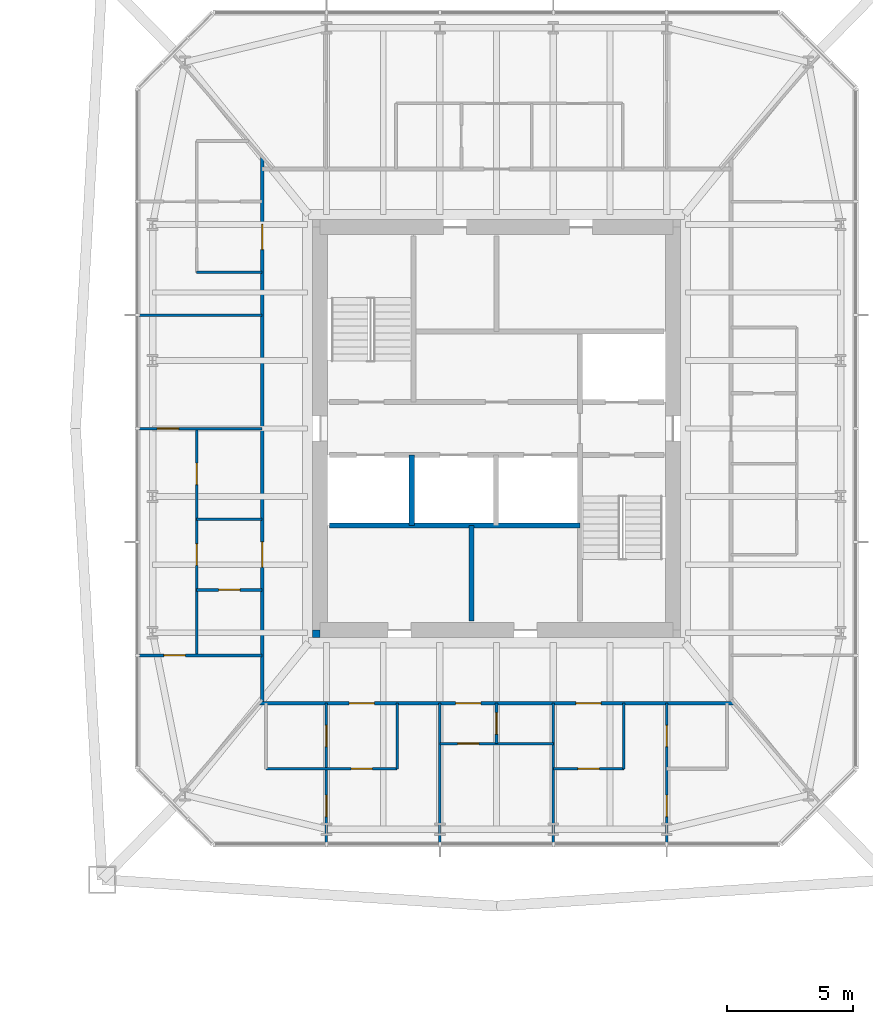
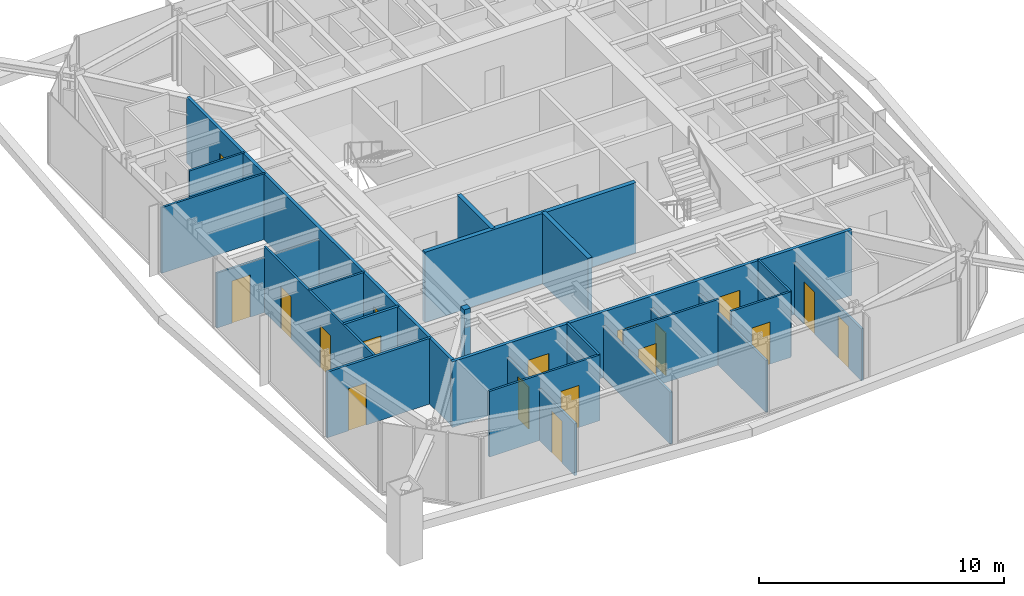
# One storey, part 17 of 25: 23 walls, 18 doors, 18 openings.
"""IFC4 building model written with IfcOpenShell, lengths in metres."""

from ifc_helpers import new_model, si_unit, direction, frame, frame_2d, origin, place, context, subcontext, project, spatial, rectangle, extrude, material, layer, layer_set, type_object, element, fill, save


model = new_model("IFC4")

# Units and contexts
model_context = context("Model", 3, precision=1e-05, world=origin(), true_north=direction((0.0, 1.0)))
body_context = subcontext(model_context, "Body", "Model", "MODEL_VIEW")
ifc_project = project(units=[si_unit("LENGTHUNIT", "METRE"), si_unit("AREAUNIT", "SQUARE_METRE"), si_unit("VOLUMEUNIT", "CUBIC_METRE"), si_unit("PLANEANGLEUNIT", "RADIAN"), si_unit("MASSUNIT", "GRAM", prefix="KILO")], contexts=[model_context])

# Site, building, storey
site_placement = place(None, origin())
site = spatial("IfcSite", under=ifc_project, at=site_placement, CompositionType="ELEMENT")
building_placement = place(site_placement, origin())
building = spatial("IfcBuilding", under=site, at=building_placement, Name="Iwan Alto Co-Living Towers", CompositionType="ELEMENT")
storey_placement = place(building_placement, frame((0.0, 0.0, 87.5)))
storey = spatial("IfcBuildingStorey", under=building, at=storey_placement, Name="L23", CompositionType="ELEMENT", Elevation=87.5)

# Wall, openings, doors
ifc_material_1 = material(Name="Gypsum board")
ifc_layer_1 = layer(ifc_material_1, 0.02490234375, Name="Board", Category="Finish")
ifc_material_2 = material(Name="Steel ASTM A1003 ST33H cold-formed studs", Category="steel")
ifc_layer_2 = layer(ifc_material_2, 0.10009765625, Name="Studs", Category="Framing")
ifc_layer_3 = layer(ifc_material_1, 0.02490234375, Name="Board", Category="Finish")
ifc_layer_set_1 = layer_set([ifc_layer_1, ifc_layer_2, ifc_layer_3], Name="CORRIDOR WALL 150")
wall_type_1 = type_object("IfcWallType", Name="CORRIDOR WALL 150", PredefinedType="PARTITIONING", material=ifc_layer_set_1)
wall_1_placement = place(storey_placement, frame((53.5859375, -10.89990234375, 0.0), z_axis=(0.0, 0.0, 1.0), x_axis=(1.0, 0.0, 0.0)))
wall_1 = element("IfcWall", 1, at=wall_1_placement, inside=storey, type_object=wall_type_1, Name="Partition L23", PredefinedType="PARTITIONING", context=body_context, shape_type="SweptSolid", body=[
    extrude(rectangle(XDim=18.828125, YDim=0.14990234375, at=frame_2d((9.4140625, 0.0))), origin(), (0.0, 0.0, 1.0), 3.27001953125),
])
opening_1_placement = place(wall_1_placement, frame((3.56396484375, 0.0, 0.0)))
opening_1 = element("IfcOpeningElement", 2, at=opening_1_placement, cuts=wall_1, Name="Opening D3", PredefinedType="OPENING", context=body_context, shape_type="SweptSolid", body=[
    extrude(rectangle(XDim=1.0, YDim=2.10009765625, at=frame_2d((0.5, 1.050048828125))), frame((0.0, 0.0849609375, 0.0), z_axis=(0.0, -1.0, 0.0), x_axis=(1.0, 0.0, 0.0)), (0.0, 0.0, 1.0), 0.169921875),
])
opening_2_placement = place(wall_1_placement, frame((7.7890625, 0.0, 0.0)))
opening_2 = element("IfcOpeningElement", 3, at=opening_2_placement, cuts=wall_1, Name="Opening D3", PredefinedType="OPENING", context=body_context, shape_type="SweptSolid", body=[
    extrude(rectangle(XDim=1.0, YDim=2.10009765625, at=frame_2d((0.5, 1.050048828125))), frame((0.0, 0.0849609375, 0.0), z_axis=(0.0, -1.0, 0.0), x_axis=(1.0, 0.0, 0.0)), (0.0, 0.0, 1.0), 0.169921875),
])
opening_3_placement = place(wall_1_placement, frame((12.56396484375, 0.0, 0.0)))
opening_3 = element("IfcOpeningElement", 4, at=opening_3_placement, cuts=wall_1, Name="Opening D3", PredefinedType="OPENING", context=body_context, shape_type="SweptSolid", body=[
    extrude(rectangle(XDim=1.0, YDim=2.10009765625, at=frame_2d((0.5, 1.050048828125))), frame((0.0, 0.0849609375, 0.0), z_axis=(0.0, -1.0, 0.0), x_axis=(1.0, 0.0, 0.0)), (0.0, 0.0, 1.0), 0.169921875),
])
ifc_material_3 = material(Name="Steel frame with timber leaf", Category="steel")
door_type_1 = type_object("IfcDoorType", Name="FLAT ENTRANCE DOOR FD30S 1000X2100", OperationType="SINGLE_SWING_LEFT", PredefinedType="DOOR", material=ifc_material_3)
door_1_placement = place(opening_1_placement, frame((1.0, 0.0, 0.0), z_axis=(0.0, 0.0, 1.0), x_axis=(-1.0, 0.0, 0.0)))
door_1 = element("IfcDoor", 5, at=door_1_placement, inside=storey, type_object=door_type_1, Name="Apartment foyer door L23", OperationType="SINGLE_SWING_RIGHT", OverallHeight=2.10009765625, OverallWidth=1.0, PredefinedType="DOOR", context=body_context, shape_type="SweptSolid", body=[
    extrude(rectangle(XDim=1.0, YDim=2.10009765625, at=frame_2d((0.5, 1.050048828125))), frame((0.0, 0.02490234375, 0.0), z_axis=(0.0, -1.0, 0.0), x_axis=(1.0, 0.0, 0.0)), (0.0, 0.0, 1.0), 0.050048828125),
])
fill(opening_1, door_1)
door_2_placement = place(opening_2_placement, frame((1.0, 0.0, 0.0), z_axis=(0.0, 0.0, 1.0), x_axis=(-1.0, 0.0, 0.0)))
door_2 = element("IfcDoor", 6, at=door_2_placement, inside=storey, type_object=door_type_1, Name="Studio foyer door L23", OperationType="SINGLE_SWING_RIGHT", OverallHeight=2.10009765625, OverallWidth=1.0, PredefinedType="DOOR", context=body_context, shape_type="SweptSolid", body=[
    extrude(rectangle(XDim=1.0, YDim=2.10009765625, at=frame_2d((0.5, 1.050048828125))), frame((0.0, 0.02490234375, 0.0), z_axis=(0.0, -1.0, 0.0), x_axis=(1.0, 0.0, 0.0)), (0.0, 0.0, 1.0), 0.050048828125),
])
fill(opening_2, door_2)
door_3_placement = place(opening_3_placement, frame((1.0, 0.0, 0.0), z_axis=(0.0, 0.0, 1.0), x_axis=(-1.0, 0.0, 0.0)))
door_3 = element("IfcDoor", 7, at=door_3_placement, inside=storey, type_object=door_type_1, Name="Apartment foyer door L23", OperationType="SINGLE_SWING_RIGHT", OverallHeight=2.10009765625, OverallWidth=1.0, PredefinedType="DOOR", context=body_context, shape_type="SweptSolid", body=[
    extrude(rectangle(XDim=1.0, YDim=2.10009765625, at=frame_2d((0.5, 1.050048828125))), frame((0.0, 0.02490234375, 0.0), z_axis=(0.0, -1.0, 0.0), x_axis=(1.0, 0.0, 0.0)), (0.0, 0.0, 1.0), 0.050048828125),
])
fill(opening_3, door_3)

wall_2_placement = place(storey_placement, frame((53.699951171875, -10.89990234375, 0.0), z_axis=(0.0, 0.0, 1.0), x_axis=(0.0, 1.0, 0.0)))
wall_2 = element("IfcWall", 8, at=wall_2_placement, inside=storey, type_object=wall_type_1, Name="Partition L23", PredefinedType="PARTITIONING", context=body_context, shape_type="SweptSolid", body=[
    extrude(rectangle(XDim=21.66796875, YDim=0.14990234375, at=frame_2d((10.833984375, 0.0))), origin(), (0.0, 0.0, 1.0), 3.27001953125),
])
opening_4_placement = place(wall_2_placement, frame((18.0, 0.0, 0.0)))
opening_4 = element("IfcOpeningElement", 9, at=opening_4_placement, cuts=wall_2, Name="Opening D3", PredefinedType="OPENING", context=body_context, shape_type="SweptSolid", body=[
    extrude(rectangle(XDim=1.0, YDim=2.10009765625, at=frame_2d((0.5, 1.050048828125))), frame((0.0, 0.0849609375, 0.0), z_axis=(0.0, -1.0, 0.0), x_axis=(1.0, 0.0, 0.0)), (0.0, 0.0, 1.0), 0.169921875),
])
opening_5_placement = place(wall_2_placement, frame((5.39990234375, 0.0, 0.0)))
opening_5 = element("IfcOpeningElement", 10, at=opening_5_placement, cuts=wall_2, Name="Opening D3", PredefinedType="OPENING", context=body_context, shape_type="SweptSolid", body=[
    extrude(rectangle(XDim=1.0, YDim=2.10009765625, at=frame_2d((0.5, 1.050048828125))), frame((0.0, 0.0849609375, 0.0), z_axis=(0.0, -1.0, 0.0), x_axis=(1.0, 0.0, 0.0)), (0.0, 0.0, 1.0), 0.169921875),
])
door_4_placement = place(opening_4_placement, origin())
door_4 = element("IfcDoor", 11, at=door_4_placement, inside=storey, type_object=door_type_1, Name="Apartment foyer door L23", OperationType="SINGLE_SWING_LEFT", OverallHeight=2.10009765625, OverallWidth=1.0, PredefinedType="DOOR", context=body_context, shape_type="SweptSolid", body=[
    extrude(rectangle(XDim=1.0, YDim=2.10009765625, at=frame_2d((0.5, 1.050048828125))), frame((0.0, 0.02490234375, 0.0), z_axis=(0.0, -1.0, 0.0), x_axis=(1.0, 0.0, 0.0)), (0.0, 0.0, 1.0), 0.050048828125),
])
fill(opening_4, door_4)
door_5_placement = place(opening_5_placement, origin())
door_5 = element("IfcDoor", 12, at=door_5_placement, inside=storey, type_object=door_type_1, Name="Apartment foyer door L23", OperationType="SINGLE_SWING_LEFT", OverallHeight=2.10009765625, OverallWidth=1.0, PredefinedType="DOOR", context=body_context, shape_type="SweptSolid", body=[
    extrude(rectangle(XDim=1.0, YDim=2.10009765625, at=frame_2d((0.5, 1.050048828125))), frame((0.0, 0.02490234375, 0.0), z_axis=(0.0, -1.0, 0.0), x_axis=(1.0, 0.0, 0.0)), (0.0, 0.0, 1.0), 0.050048828125),
])
fill(opening_5, door_5)

# Wall, opening, door
ifc_layer_4 = layer(ifc_material_1, 0.012451171875, Name="Board", Category="Finish")
ifc_layer_5 = layer(ifc_material_2, 0.074951171875, Name="Studs", Category="Framing")
ifc_layer_6 = layer(ifc_material_1, 0.012451171875, Name="Board", Category="Finish")
ifc_layer_set_2 = layer_set([ifc_layer_4, ifc_layer_5, ifc_layer_6], Name="PARTITION 100")
wall_type_2 = type_object("IfcWallType", Name="PARTITION 100", PredefinedType="PARTITIONING", material=ifc_layer_set_2)
wall_3_placement = place(storey_placement, frame((53.85009765625, -13.5, 0.0), z_axis=(0.0, 0.0, 1.0), x_axis=(1.0, 0.0, 0.0)))
wall_3 = element("IfcWall", 13, at=wall_3_placement, inside=storey, type_object=wall_type_2, Name="Partition L23", PredefinedType="PARTITIONING", context=body_context, shape_type="SweptSolid", body=[
    extrude(rectangle(XDim=5.199951171875, YDim=0.10009765625, at=frame_2d((2.60009765625, 0.0))), origin(), (0.0, 0.0, 1.0), 3.27001953125),
])
opening_6_placement = place(wall_3_placement, frame((3.375, 0.0, 0.0)))
opening_6 = element("IfcOpeningElement", 14, at=opening_6_placement, cuts=wall_3, Name="Opening D2", PredefinedType="OPENING", context=body_context, shape_type="SweptSolid", body=[
    extrude(rectangle(XDim=0.85009765625, YDim=2.10009765625, at=frame_2d((0.425048828125, 1.050048828125))), frame((0.0, 0.06005859375, 0.0), z_axis=(0.0, -1.0, 0.0), x_axis=(1.0, 0.0, 0.0)), (0.0, 0.0, 1.0), 0.1201171875),
])
ifc_material_4 = material(Name="Timber leaf in steel frame", Category="steel")
door_type_2 = type_object("IfcDoorType", Name="ROOM DOOR 850X2100", OperationType="SINGLE_SWING_LEFT", PredefinedType="DOOR", material=ifc_material_4)
door_6_placement = place(opening_6_placement, frame((0.85009765625, 0.0, 0.0), z_axis=(0.0, 0.0, 1.0), x_axis=(-1.0, 0.0, 0.0)))
door_6 = element("IfcDoor", 15, at=door_6_placement, inside=storey, type_object=door_type_2, Name="Apartment foyer door L23", OperationType="SINGLE_SWING_RIGHT", OverallHeight=2.10009765625, OverallWidth=0.85009765625, PredefinedType="DOOR", context=body_context, shape_type="SweptSolid", body=[
    extrude(rectangle(XDim=0.85009765625, YDim=2.10009765625, at=frame_2d((0.425048828125, 1.050048828125))), frame((0.0, 0.02490234375, 0.0), z_axis=(0.0, -1.0, 0.0), x_axis=(1.0, 0.0, 0.0)), (0.0, 0.0, 1.0), 0.050048828125),
])
fill(opening_6, door_6)

wall_4_placement = place(storey_placement, frame((65.25, -13.5, 0.0), z_axis=(0.0, 0.0, 1.0), x_axis=(1.0, 0.0, 0.0)))
wall_4 = element("IfcWall", 16, at=wall_4_placement, inside=storey, type_object=wall_type_2, Name="Partition L23", PredefinedType="PARTITIONING", context=body_context, shape_type="SweptSolid", body=[
    extrude(rectangle(XDim=2.800048828125, YDim=0.10009765625, at=frame_2d((1.39990234375, 0.0))), origin(), (0.0, 0.0, 1.0), 3.27001953125),
])
opening_7_placement = place(wall_4_placement, frame((0.97509765625, 0.0, 0.0)))
opening_7 = element("IfcOpeningElement", 17, at=opening_7_placement, cuts=wall_4, Name="Opening D2", PredefinedType="OPENING", context=body_context, shape_type="SweptSolid", body=[
    extrude(rectangle(XDim=0.85009765625, YDim=2.10009765625, at=frame_2d((0.425048828125, 1.050048828125))), frame((0.0, 0.06005859375, 0.0), z_axis=(0.0, -1.0, 0.0), x_axis=(1.0, 0.0, 0.0)), (0.0, 0.0, 1.0), 0.1201171875),
])
door_7_placement = place(opening_7_placement, frame((0.85009765625, 0.0, 0.0), z_axis=(0.0, 0.0, 1.0), x_axis=(-1.0, 0.0, 0.0)))
door_7 = element("IfcDoor", 18, at=door_7_placement, inside=storey, type_object=door_type_2, Name="Apartment foyer door L23", OperationType="SINGLE_SWING_RIGHT", OverallHeight=2.10009765625, OverallWidth=0.85009765625, PredefinedType="DOOR", context=body_context, shape_type="SweptSolid", body=[
    extrude(rectangle(XDim=0.85009765625, YDim=2.10009765625, at=frame_2d((0.425048828125, 1.050048828125))), frame((0.0, 0.02490234375, 0.0), z_axis=(0.0, -1.0, 0.0), x_axis=(1.0, 0.0, 0.0)), (0.0, 0.0, 1.0), 0.050048828125),
])
fill(opening_7, door_7)

wall_5_placement = place(storey_placement, frame((60.75, -12.5, 0.0), z_axis=(0.0, 0.0, 1.0), x_axis=(1.0, 0.0, 0.0)))
wall_5 = element("IfcWall", 19, at=wall_5_placement, inside=storey, type_object=wall_type_2, Name="Partition L23", PredefinedType="PARTITIONING", context=body_context, shape_type="SweptSolid", body=[
    extrude(rectangle(XDim=4.5, YDim=0.10009765625, at=frame_2d((2.25, 0.0))), origin(), (0.0, 0.0, 1.0), 3.27001953125),
])
opening_8_placement = place(wall_5_placement, frame((0.699951171875, 0.0, 0.0)))
opening_8 = element("IfcOpeningElement", 20, at=opening_8_placement, cuts=wall_5, Name="Opening D2", PredefinedType="OPENING", context=body_context, shape_type="SweptSolid", body=[
    extrude(rectangle(XDim=0.85009765625, YDim=2.10009765625, at=frame_2d((0.425048828125, 1.050048828125))), frame((0.0, 0.06005859375, 0.0), z_axis=(0.0, -1.0, 0.0), x_axis=(1.0, 0.0, 0.0)), (0.0, 0.0, 1.0), 0.1201171875),
])
door_8_placement = place(opening_8_placement, frame((0.85009765625, 0.0, 0.0), z_axis=(0.0, 0.0, 1.0), x_axis=(-1.0, 0.0, 0.0)))
door_8 = element("IfcDoor", 21, at=door_8_placement, inside=storey, type_object=door_type_2, Name="Studio and kitchenette door L23", OperationType="SINGLE_SWING_RIGHT", OverallHeight=2.10009765625, OverallWidth=0.85009765625, PredefinedType="DOOR", context=body_context, shape_type="SweptSolid", body=[
    extrude(rectangle(XDim=0.85009765625, YDim=2.10009765625, at=frame_2d((0.425048828125, 1.050048828125))), frame((0.0, 0.02490234375, 0.0), z_axis=(0.0, -1.0, 0.0), x_axis=(1.0, 0.0, 0.0)), (0.0, 0.0, 1.0), 0.050048828125),
])
fill(opening_8, door_8)

# Wall
wall_6_placement = place(storey_placement, frame((51.10009765625, -3.60009765625, 0.0), z_axis=(0.0, 0.0, 1.0), x_axis=(1.0, 0.0, 0.0)))
element("IfcWall", 22, at=wall_6_placement, inside=storey, type_object=wall_type_2, Name="Partition L23", PredefinedType="PARTITIONING", context=body_context, shape_type="SweptSolid", body=[
    extrude(rectangle(XDim=2.599853515625, YDim=0.10009765625, at=frame_2d((1.2998046875, 0.0))), origin(), (0.0, 0.0, 1.0), 3.27001953125),
])

# Wall, opening, door
wall_7_placement = place(storey_placement, frame((48.81005859375, 0.0, 0.0), z_axis=(0.0, 0.0, 1.0), x_axis=(1.0, 0.0, 0.0)))
wall_7 = element("IfcWall", 23, at=wall_7_placement, inside=storey, type_object=wall_type_2, Name="Partition L23", PredefinedType="PARTITIONING", context=body_context, shape_type="SweptSolid", body=[
    extrude(rectangle(XDim=4.889892578125, YDim=0.10009765625, at=frame_2d((2.44482421875, 0.0))), origin(), (0.0, 0.0, 1.0), 2.736572265625),
])
opening_9_placement = place(wall_7_placement, frame((0.719970703125, 0.0, 0.0)))
opening_9 = element("IfcOpeningElement", 24, at=opening_9_placement, cuts=wall_7, Name="Opening D2", PredefinedType="OPENING", context=body_context, shape_type="SweptSolid", body=[
    extrude(rectangle(XDim=0.85009765625, YDim=2.10009765625, at=frame_2d((0.425048828125, 1.050048828125))), frame((0.0, 0.06005859375, 0.0), z_axis=(0.0, -1.0, 0.0), x_axis=(1.0, 0.0, 0.0)), (0.0, 0.0, 1.0), 0.1201171875),
])
door_9_placement = place(opening_9_placement, origin())
door_9 = element("IfcDoor", 25, at=door_9_placement, inside=storey, type_object=door_type_2, Name="Bedroom door L23", OperationType="SINGLE_SWING_LEFT", OverallHeight=2.10009765625, OverallWidth=0.85009765625, PredefinedType="DOOR", context=body_context, shape_type="SweptSolid", body=[
    extrude(rectangle(XDim=0.85009765625, YDim=2.10009765625, at=frame_2d((0.425048828125, 1.050048828125))), frame((0.0, 0.02490234375, 0.0), z_axis=(0.0, -1.0, 0.0), x_axis=(1.0, 0.0, 0.0)), (0.0, 0.0, 1.0), 0.050048828125),
])
fill(opening_9, door_9)

# Walls
wall_8_placement = place(storey_placement, frame((48.81005859375, 4.5, 0.0), z_axis=(0.0, 0.0, 1.0), x_axis=(1.0, 0.0, 0.0)))
element("IfcWall", 26, at=wall_8_placement, inside=storey, type_object=wall_type_2, Name="Partition L23", PredefinedType="PARTITIONING", context=body_context, shape_type="SweptSolid", body=[
    extrude(rectangle(XDim=4.889892578125, YDim=0.10009765625, at=frame_2d((2.44482421875, 0.0))), origin(), (0.0, 0.0, 1.0), 3.27001953125),
])
wall_9_placement = place(storey_placement, frame((51.10009765625, 6.199951171875, 0.0), z_axis=(0.0, 0.0, 1.0), x_axis=(1.0, 0.0, 0.0)))
element("IfcWall", 27, at=wall_9_placement, inside=storey, type_object=wall_type_2, Name="Partition L23", PredefinedType="PARTITIONING", context=body_context, shape_type="SweptSolid", body=[
    extrude(rectangle(XDim=2.599853515625, YDim=0.10009765625, at=frame_2d((1.2998046875, 0.0))), origin(), (0.0, 0.0, 1.0), 3.27001953125),
])

# Wall, openings, doors
wall_10_placement = place(storey_placement, frame((69.75, -16.43994140625, 0.0), z_axis=(0.0, 0.0, 1.0), x_axis=(0.0, 1.0, 0.0)))
wall_10 = element("IfcWall", 28, at=wall_10_placement, inside=storey, type_object=wall_type_2, Name="Partition L23", PredefinedType="PARTITIONING", context=body_context, shape_type="SweptSolid", body=[
    extrude(rectangle(XDim=5.5400390625, YDim=0.10009765625, at=frame_2d((2.77001953125, 0.0))), origin(), (0.0, 0.0, 1.0), 2.586669921875),
])
opening_10_placement = place(wall_10_placement, frame((3.81494140625, 0.0, 0.0)))
opening_10 = element("IfcOpeningElement", 29, at=opening_10_placement, cuts=wall_10, Name="Opening D2", PredefinedType="OPENING", context=body_context, shape_type="SweptSolid", body=[
    extrude(rectangle(XDim=0.85009765625, YDim=2.10009765625, at=frame_2d((0.425048828125, 1.050048828125))), frame((0.0, 0.06005859375, 0.0), z_axis=(0.0, -1.0, 0.0), x_axis=(1.0, 0.0, 0.0)), (0.0, 0.0, 1.0), 0.1201171875),
])
opening_11_placement = place(wall_10_placement, frame((1.044921875, 0.0, 0.0)))
opening_11 = element("IfcOpeningElement", 30, at=opening_11_placement, cuts=wall_10, Name="Opening D2", PredefinedType="OPENING", context=body_context, shape_type="SweptSolid", body=[
    extrude(rectangle(XDim=0.85009765625, YDim=2.10009765625, at=frame_2d((0.425048828125, 1.050048828125))), frame((0.0, 0.06005859375, 0.0), z_axis=(0.0, -1.0, 0.0), x_axis=(1.0, 0.0, 0.0)), (0.0, 0.0, 1.0), 0.1201171875),
])
door_10_placement = place(opening_10_placement, origin())
door_10 = element("IfcDoor", 31, at=door_10_placement, inside=storey, type_object=door_type_2, Name="Bathroom door L23", OperationType="SINGLE_SWING_RIGHT", OverallHeight=2.10009765625, OverallWidth=0.85009765625, PredefinedType="DOOR", context=body_context, shape_type="SweptSolid", body=[
    extrude(rectangle(XDim=0.85009765625, YDim=2.10009765625, at=frame_2d((0.425048828125, 1.050048828125))), frame((0.0, 0.02490234375, 0.0), z_axis=(0.0, -1.0, 0.0), x_axis=(1.0, 0.0, 0.0)), (0.0, 0.0, 1.0), 0.050048828125),
])
fill(opening_10, door_10)
door_11_placement = place(opening_11_placement, frame((0.85009765625, 0.0, 0.0), z_axis=(0.0, 0.0, 1.0), x_axis=(-1.0, 0.0, 0.0)))
door_11 = element("IfcDoor", 32, at=door_11_placement, inside=storey, type_object=door_type_2, Name="Bedroom door L23", OperationType="SINGLE_SWING_LEFT", OverallHeight=2.10009765625, OverallWidth=0.85009765625, PredefinedType="DOOR", context=body_context, shape_type="SweptSolid", body=[
    extrude(rectangle(XDim=0.85009765625, YDim=2.10009765625, at=frame_2d((0.425048828125, 1.050048828125))), frame((0.0, 0.02490234375, 0.0), z_axis=(0.0, -1.0, 0.0), x_axis=(1.0, 0.0, 0.0)), (0.0, 0.0, 1.0), 0.050048828125),
])
fill(opening_11, door_11)

# Walls
wall_11_placement = place(storey_placement, frame((68.050048828125, -13.5, 0.0), z_axis=(0.0, 0.0, 1.0), x_axis=(0.0, 1.0, 0.0)))
element("IfcWall", 33, at=wall_11_placement, inside=storey, type_object=wall_type_2, Name="Partition L23", PredefinedType="PARTITIONING", context=body_context, shape_type="SweptSolid", body=[
    extrude(rectangle(XDim=2.60009765625, YDim=0.10009765625, at=frame_2d((1.300048828125, 0.0))), origin(), (0.0, 0.0, 1.0), 3.27001953125),
])
for number, where, z_axis, x_axis, name in (
    (34, (65.25, -16.43994140625, 0.0), (0.0, 0.0, 1.0), (0.0, 1.0, 0.0), "Partition L23"),
    (35, (60.75, -16.43994140625, 0.0), (0.0, 0.0, 1.0), (0.0, 1.0, 0.0), "Partition L23"),
):
    element("IfcWall", number, at=place(storey_placement, frame(where, z_axis=z_axis, x_axis=x_axis)), inside=storey, type_object=wall_type_2, Name=name, PredefinedType="PARTITIONING", context=body_context, shape_type="SweptSolid", body=[
        extrude(rectangle(XDim=5.5400390625, YDim=0.10009765625, at=frame_2d((2.77001953125, 0.0))), origin(), (0.0, 0.0, 1.0), 2.586669921875),
    ])
wall_12_placement = place(storey_placement, frame((59.050048828125, -13.5, 0.0), z_axis=(0.0, 0.0, 1.0), x_axis=(0.0, 1.0, 0.0)))
element("IfcWall", 36, at=wall_12_placement, inside=storey, type_object=wall_type_2, Name="Partition L23", PredefinedType="PARTITIONING", context=body_context, shape_type="SweptSolid", body=[
    extrude(rectangle(XDim=2.60009765625, YDim=0.10009765625, at=frame_2d((1.300048828125, 0.0))), origin(), (0.0, 0.0, 1.0), 3.27001953125),
])

# Wall, openings, doors
wall_13_placement = place(storey_placement, frame((56.25, -16.43994140625, 0.0), z_axis=(0.0, 0.0, 1.0), x_axis=(0.0, 1.0, 0.0)))
wall_13 = element("IfcWall", 37, at=wall_13_placement, inside=storey, type_object=wall_type_2, Name="Partition L23", PredefinedType="PARTITIONING", context=body_context, shape_type="SweptSolid", body=[
    extrude(rectangle(XDim=5.5400390625, YDim=0.10009765625, at=frame_2d((2.77001953125, 0.0))), origin(), (0.0, 0.0, 1.0), 2.586669921875),
])
opening_12_placement = place(wall_13_placement, frame((3.81494140625, 0.0, 0.0)))
opening_12 = element("IfcOpeningElement", 38, at=opening_12_placement, cuts=wall_13, Name="Opening D2", PredefinedType="OPENING", context=body_context, shape_type="SweptSolid", body=[
    extrude(rectangle(XDim=0.85009765625, YDim=2.10009765625, at=frame_2d((0.425048828125, 1.050048828125))), frame((0.0, 0.06005859375, 0.0), z_axis=(0.0, -1.0, 0.0), x_axis=(1.0, 0.0, 0.0)), (0.0, 0.0, 1.0), 0.1201171875),
])
opening_13_placement = place(wall_13_placement, frame((1.044921875, 0.0, 0.0)))
opening_13 = element("IfcOpeningElement", 39, at=opening_13_placement, cuts=wall_13, Name="Opening D2", PredefinedType="OPENING", context=body_context, shape_type="SweptSolid", body=[
    extrude(rectangle(XDim=0.85009765625, YDim=2.10009765625, at=frame_2d((0.425048828125, 1.050048828125))), frame((0.0, 0.06005859375, 0.0), z_axis=(0.0, -1.0, 0.0), x_axis=(1.0, 0.0, 0.0)), (0.0, 0.0, 1.0), 0.1201171875),
])
door_12_placement = place(opening_12_placement, origin())
door_12 = element("IfcDoor", 40, at=door_12_placement, inside=storey, type_object=door_type_2, Name="Bathroom door L23", OperationType="SINGLE_SWING_LEFT", OverallHeight=2.10009765625, OverallWidth=0.85009765625, PredefinedType="DOOR", context=body_context, shape_type="SweptSolid", body=[
    extrude(rectangle(XDim=0.85009765625, YDim=2.10009765625, at=frame_2d((0.425048828125, 1.050048828125))), frame((0.0, 0.02490234375, 0.0), z_axis=(0.0, -1.0, 0.0), x_axis=(1.0, 0.0, 0.0)), (0.0, 0.0, 1.0), 0.050048828125),
])
fill(opening_12, door_12)
door_13_placement = place(opening_13_placement, origin())
door_13 = element("IfcDoor", 41, at=door_13_placement, inside=storey, type_object=door_type_2, Name="Bedroom door L23", OperationType="SINGLE_SWING_RIGHT", OverallHeight=2.10009765625, OverallWidth=0.85009765625, PredefinedType="DOOR", context=body_context, shape_type="SweptSolid", body=[
    extrude(rectangle(XDim=0.85009765625, YDim=2.10009765625, at=frame_2d((0.425048828125, 1.050048828125))), frame((0.0, 0.02490234375, 0.0), z_axis=(0.0, -1.0, 0.0), x_axis=(1.0, 0.0, 0.0)), (0.0, 0.0, 1.0), 0.050048828125),
])
fill(opening_13, door_13)

wall_14_placement = place(storey_placement, frame((51.10009765625, -9.0, 0.0), z_axis=(0.0, 0.0, 1.0), x_axis=(0.0, 1.0, 0.0)))
wall_14 = element("IfcWall", 42, at=wall_14_placement, inside=storey, type_object=wall_type_2, Name="Partition L23", PredefinedType="PARTITIONING", context=body_context, shape_type="SweptSolid", body=[
    extrude(rectangle(XDim=9.0, YDim=0.10009765625, at=frame_2d((4.5, 0.0))), origin(), (0.0, 0.0, 1.0), 3.27001953125),
])
opening_14_placement = place(wall_14_placement, frame((6.77490234375, 0.0, 0.0)))
opening_14 = element("IfcOpeningElement", 43, at=opening_14_placement, cuts=wall_14, Name="Opening D2", PredefinedType="OPENING", context=body_context, shape_type="SweptSolid", body=[
    extrude(rectangle(XDim=0.85009765625, YDim=2.10009765625, at=frame_2d((0.425048828125, 1.050048828125))), frame((0.0, 0.06005859375, 0.0), z_axis=(0.0, -1.0, 0.0), x_axis=(1.0, 0.0, 0.0)), (0.0, 0.0, 1.0), 0.1201171875),
])
opening_15_placement = place(wall_14_placement, frame((3.574951171875, 0.0, 0.0)))
opening_15 = element("IfcOpeningElement", 44, at=opening_15_placement, cuts=wall_14, Name="Opening D2", PredefinedType="OPENING", context=body_context, shape_type="SweptSolid", body=[
    extrude(rectangle(XDim=0.85009765625, YDim=2.10009765625, at=frame_2d((0.425048828125, 1.050048828125))), frame((0.0, 0.06005859375, 0.0), z_axis=(0.0, -1.0, 0.0), x_axis=(1.0, 0.0, 0.0)), (0.0, 0.0, 1.0), 0.1201171875),
])
door_14_placement = place(opening_14_placement, origin())
door_14 = element("IfcDoor", 45, at=door_14_placement, inside=storey, type_object=door_type_2, Name="Kitchen door L23", OperationType="SINGLE_SWING_RIGHT", OverallHeight=2.10009765625, OverallWidth=0.85009765625, PredefinedType="DOOR", context=body_context, shape_type="SweptSolid", body=[
    extrude(rectangle(XDim=0.85009765625, YDim=2.10009765625, at=frame_2d((0.425048828125, 1.050048828125))), frame((0.0, 0.02490234375, 0.0), z_axis=(0.0, -1.0, 0.0), x_axis=(1.0, 0.0, 0.0)), (0.0, 0.0, 1.0), 0.050048828125),
])
fill(opening_14, door_14)
door_15_placement = place(opening_15_placement, origin())
door_15 = element("IfcDoor", 46, at=door_15_placement, inside=storey, type_object=door_type_2, Name="Apartment foyer door L23", OperationType="SINGLE_SWING_LEFT", OverallHeight=2.10009765625, OverallWidth=0.85009765625, PredefinedType="DOOR", context=body_context, shape_type="SweptSolid", body=[
    extrude(rectangle(XDim=0.85009765625, YDim=2.10009765625, at=frame_2d((0.425048828125, 1.050048828125))), frame((0.0, 0.02490234375, 0.0), z_axis=(0.0, -1.0, 0.0), x_axis=(1.0, 0.0, 0.0)), (0.0, 0.0, 1.0), 0.050048828125),
])
fill(opening_15, door_15)

# Walls
ifc_material_5 = material(Name="Concrete f'c 70 MPa", Category="concrete")
ifc_layer_7 = layer(ifc_material_5, 0.199951171875)
ifc_layer_set_3 = layer_set([ifc_layer_7], Name="SHAFT WALL 200")
wall_type_3 = type_object("IfcWallType", Name="SHAFT WALL 200", PredefinedType="SOLIDWALL", material=ifc_layer_set_3)
wall_15_placement = place(storey_placement, frame((56.360107421875, -3.85009765625, 0.0), z_axis=(0.0, 0.0, 1.0), x_axis=(1.0, 0.0, 0.0)))
element("IfcWall", 47, at=wall_15_placement, inside=storey, type_object=wall_type_3, Name="Shaft wall L23", PredefinedType="SOLIDWALL", context=body_context, shape_type="SweptSolid", body=[
    extrude(rectangle(XDim=9.93994140625, YDim=0.199951171875, at=frame_2d((4.969970703125, 0.0))), origin(), (0.0, 0.0, 1.0), 3.5),
])
wall_16_placement = place(storey_placement, frame((62.0, -7.639892578125, 0.0), z_axis=(0.0, 0.0, 1.0), x_axis=(0.0, 1.0, 0.0)))
element("IfcWall", 48, at=wall_16_placement, inside=storey, type_object=wall_type_3, Name="Shaft wall L23", PredefinedType="SOLIDWALL", context=body_context, shape_type="SweptSolid", body=[
    extrude(rectangle(XDim=3.789794921875, YDim=0.199951171875, at=frame_2d((1.89501953125, 0.0))), origin(), (0.0, 0.0, 1.0), 3.5),
])
wall_17_placement = place(storey_placement, frame((59.633056640625, -3.85009765625, 0.0), z_axis=(0.0, 0.0, 1.0), x_axis=(0.0, 1.0, 0.0)))
element("IfcWall", 49, at=wall_17_placement, inside=storey, type_object=wall_type_3, Name="Shaft wall L23", PredefinedType="SOLIDWALL", context=body_context, shape_type="SweptSolid", body=[
    extrude(rectangle(XDim=2.800048828125, YDim=0.199951171875, at=frame_2d((1.39990234375, 0.0))), origin(), (0.0, 0.0, 1.0), 3.5),
])
ifc_material_6 = material(Name="Concrete f'c 70 MPa", Category="concrete")
ifc_layer_8 = layer(ifc_material_6, 0.300048828125)
ifc_layer_set_4 = layer_set([ifc_layer_8], Name="T2 CORE CORNER FILL 300")
wall_type_4 = type_object("IfcWallType", Name="T2 CORE CORNER FILL 300", PredefinedType="SOLIDWALL", material=ifc_layer_set_4)
wall_18_placement = place(storey_placement, frame((55.699951171875, -8.14990234375, 0.0), z_axis=(0.0, 0.0, 1.0), x_axis=(1.0, 0.0, 0.0)))
element("IfcWall", 50, at=wall_18_placement, inside=storey, type_object=wall_type_4, Name="T2 core corner SW L23", PredefinedType="SOLIDWALL", context=body_context, shape_type="SweptSolid", body=[
    extrude(rectangle(XDim=0.300048828125, YDim=0.300048828125, at=frame_2d((0.14990234375, 0.0))), origin(), (0.0, 0.0, 1.0), 3.5),
])

# Wall, opening, door
ifc_material_7 = material(Name="Cement board")
ifc_layer_9 = layer(ifc_material_7, 0.012451171875, Name="Board", Category="Finish")
ifc_layer_10 = layer(ifc_material_2, 0.094970703125, Name="Studs", Category="Framing")
ifc_layer_11 = layer(ifc_material_7, 0.012451171875, Name="Board", Category="Finish")
ifc_layer_set_5 = layer_set([ifc_layer_9, ifc_layer_10, ifc_layer_11], Name="WET AREA PARTITION 120")
wall_type_5 = type_object("IfcWallType", Name="WET AREA PARTITION 120", PredefinedType="PARTITIONING", material=ifc_layer_set_5)
wall_19_placement = place(storey_placement, frame((48.81005859375, -9.0, 0.0), z_axis=(0.0, 0.0, 1.0), x_axis=(1.0, 0.0, 0.0)))
wall_19 = element("IfcWall", 51, at=wall_19_placement, inside=storey, type_object=wall_type_5, Name="Partition L23", PredefinedType="PARTITIONING", context=body_context, shape_type="SweptSolid", body=[
    extrude(rectangle(XDim=4.889892578125, YDim=0.1201171875, at=frame_2d((2.44482421875, 0.0))), origin(), (0.0, 0.0, 1.0), 3.27001953125),
])
opening_16_placement = place(wall_19_placement, frame((0.989990234375, 0.0, 0.0)))
opening_16 = element("IfcOpeningElement", 52, at=opening_16_placement, cuts=wall_19, Name="Opening D2", PredefinedType="OPENING", context=body_context, shape_type="SweptSolid", body=[
    extrude(rectangle(XDim=0.85009765625, YDim=2.10009765625, at=frame_2d((0.425048828125, 1.050048828125))), frame((0.0, 0.070068359375, 0.0), z_axis=(0.0, -1.0, 0.0), x_axis=(1.0, 0.0, 0.0)), (0.0, 0.0, 1.0), 0.14013671875),
])
door_16_placement = place(opening_16_placement, frame((0.85009765625, 0.0, 0.0), z_axis=(0.0, 0.0, 1.0), x_axis=(-1.0, 0.0, 0.0)))
door_16 = element("IfcDoor", 53, at=door_16_placement, inside=storey, type_object=door_type_2, Name="Bedroom door L23", OperationType="SINGLE_SWING_RIGHT", OverallHeight=2.10009765625, OverallWidth=0.85009765625, PredefinedType="DOOR", context=body_context, shape_type="SweptSolid", body=[
    extrude(rectangle(XDim=0.85009765625, YDim=2.10009765625, at=frame_2d((0.425048828125, 1.050048828125))), frame((0.0, 0.02490234375, 0.0), z_axis=(0.0, -1.0, 0.0), x_axis=(1.0, 0.0, 0.0)), (0.0, 0.0, 1.0), 0.050048828125),
])
fill(opening_16, door_16)

wall_20_placement = place(storey_placement, frame((51.10009765625, -6.39990234375, 0.0), z_axis=(0.0, 0.0, 1.0), x_axis=(1.0, 0.0, 0.0)))
wall_20 = element("IfcWall", 54, at=wall_20_placement, inside=storey, type_object=wall_type_5, Name="Partition L23", PredefinedType="PARTITIONING", context=body_context, shape_type="SweptSolid", body=[
    extrude(rectangle(XDim=2.599853515625, YDim=0.1201171875, at=frame_2d((1.2998046875, 0.0))), origin(), (0.0, 0.0, 1.0), 3.27001953125),
])
opening_17_placement = place(wall_20_placement, frame((0.875, 0.0, 0.0)))
opening_17 = element("IfcOpeningElement", 55, at=opening_17_placement, cuts=wall_20, Name="Opening D2", PredefinedType="OPENING", context=body_context, shape_type="SweptSolid", body=[
    extrude(rectangle(XDim=0.85009765625, YDim=2.10009765625, at=frame_2d((0.425048828125, 1.050048828125))), frame((0.0, 0.070068359375, 0.0), z_axis=(0.0, -1.0, 0.0), x_axis=(1.0, 0.0, 0.0)), (0.0, 0.0, 1.0), 0.14013671875),
])
door_17_placement = place(opening_17_placement, frame((0.85009765625, 0.0, 0.0), z_axis=(0.0, 0.0, 1.0), x_axis=(-1.0, 0.0, 0.0)))
door_17 = element("IfcDoor", 56, at=door_17_placement, inside=storey, type_object=door_type_2, Name="Bathroom door L23", OperationType="SINGLE_SWING_RIGHT", OverallHeight=2.10009765625, OverallWidth=0.85009765625, PredefinedType="DOOR", context=body_context, shape_type="SweptSolid", body=[
    extrude(rectangle(XDim=0.85009765625, YDim=2.10009765625, at=frame_2d((0.425048828125, 1.050048828125))), frame((0.0, 0.02490234375, 0.0), z_axis=(0.0, -1.0, 0.0), x_axis=(1.0, 0.0, 0.0)), (0.0, 0.0, 1.0), 0.050048828125),
])
fill(opening_17, door_17)

wall_21_placement = place(storey_placement, frame((63.0, -12.5, 0.0), z_axis=(0.0, 0.0, 1.0), x_axis=(0.0, 1.0, 0.0)))
wall_21 = element("IfcWall", 57, at=wall_21_placement, inside=storey, type_object=wall_type_5, Name="Partition L23", PredefinedType="PARTITIONING", context=body_context, shape_type="SweptSolid", body=[
    extrude(rectangle(XDim=1.60009765625, YDim=0.1201171875, at=frame_2d((0.800048828125, 0.0))), origin(), (0.0, 0.0, 1.0), 2.662841796875),
])
opening_18_placement = place(wall_21_placement, frame((0.375, 0.0, 0.0)))
opening_18 = element("IfcOpeningElement", 58, at=opening_18_placement, cuts=wall_21, Name="Opening D2", PredefinedType="OPENING", context=body_context, shape_type="SweptSolid", body=[
    extrude(rectangle(XDim=0.85009765625, YDim=2.10009765625, at=frame_2d((0.425048828125, 1.050048828125))), frame((0.0, 0.070068359375, 0.0), z_axis=(0.0, -1.0, 0.0), x_axis=(1.0, 0.0, 0.0)), (0.0, 0.0, 1.0), 0.14013671875),
])
door_18_placement = place(opening_18_placement, frame((0.85009765625, 0.0, 0.0), z_axis=(0.0, 0.0, 1.0), x_axis=(-1.0, 0.0, 0.0)))
door_18 = element("IfcDoor", 59, at=door_18_placement, inside=storey, type_object=door_type_2, Name="Shower room door L23", OperationType="SINGLE_SWING_RIGHT", OverallHeight=2.10009765625, OverallWidth=0.85009765625, PredefinedType="DOOR", context=body_context, shape_type="SweptSolid", body=[
    extrude(rectangle(XDim=0.85009765625, YDim=2.10009765625, at=frame_2d((0.425048828125, 1.050048828125))), frame((0.0, 0.02490234375, 0.0), z_axis=(0.0, -1.0, 0.0), x_axis=(1.0, 0.0, 0.0)), (0.0, 0.0, 1.0), 0.050048828125),
])
fill(opening_18, door_18)

save(model, "model.ifc")
